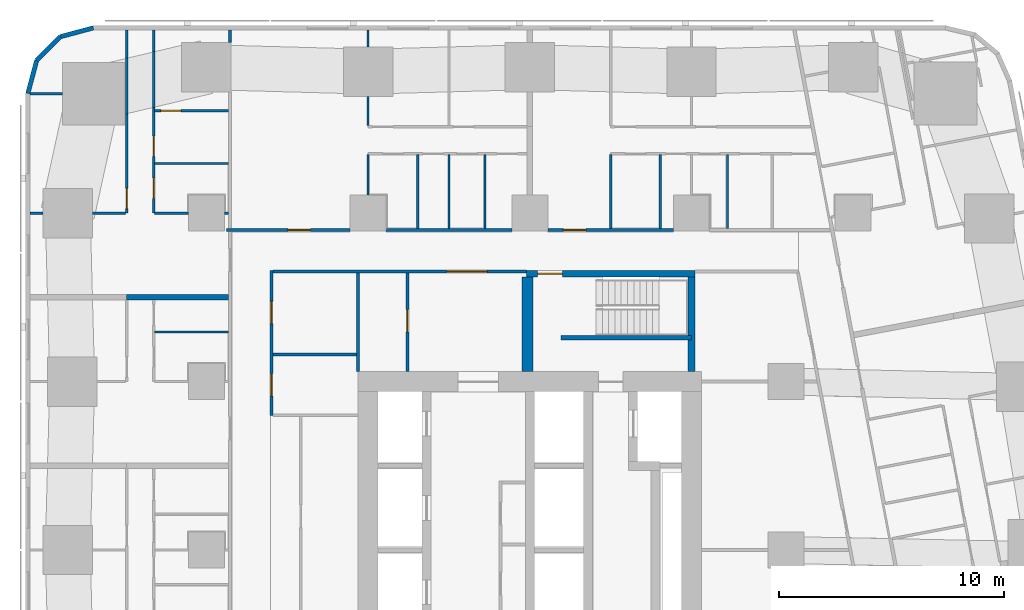
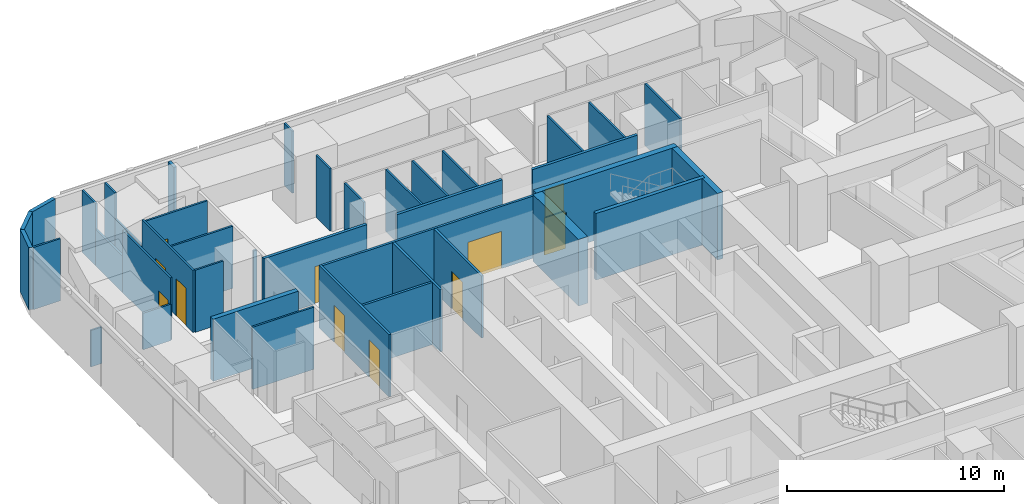
# One storey, part 8 of 15: 40 walls, 11 doors, 11 openings.
"""IFC4 building model written with IfcOpenShell, lengths in metres."""

from ifc_helpers import new_model, si_unit, direction, frame, frame_2d, origin, place, context, subcontext, project, spatial, rectangle, extrude, material, layer, layer_set, type_object, element, fill, save


model = new_model("IFC4")

# Units and contexts
model_context = context("Model", 3, precision=1e-05, world=origin(), true_north=direction((0.0, 1.0)))
body_context = subcontext(model_context, "Body", "Model", "MODEL_VIEW")
ifc_project = project(units=[si_unit("LENGTHUNIT", "METRE"), si_unit("AREAUNIT", "SQUARE_METRE"), si_unit("VOLUMEUNIT", "CUBIC_METRE"), si_unit("PLANEANGLEUNIT", "RADIAN"), si_unit("MASSUNIT", "GRAM", prefix="KILO")], contexts=[model_context])

# Site, building, storey
site_placement = place(None, origin())
site = spatial("IfcSite", under=ifc_project, at=site_placement, CompositionType="ELEMENT")
building_placement = place(site_placement, origin())
building = spatial("IfcBuilding", under=site, at=building_placement, Name="Sheger Commons Tower", CompositionType="ELEMENT")
storey_placement = place(building_placement, frame((0.0, 0.0, 100.39990234375)))
storey = spatial("IfcBuildingStorey", under=building, at=storey_placement, Name="L25", CompositionType="ELEMENT", Elevation=100.39990234375)

# Wall
ifc_material_1 = material(Name="Hollow concrete block masonry, skimmed both sides", Category="masonry")
ifc_layer_1 = layer(ifc_material_1, 0.14990234375)
ifc_layer_set_1 = layer_set([ifc_layer_1], Name="CORRIDOR WALL 150")
wall_type_1 = type_object("IfcWallType", Name="CORRIDOR WALL 150", PredefinedType="SOLIDWALL", material=ifc_layer_set_1)
wall_1_placement = place(storey_placement, frame((8.25, 45.10107421875, 0.0), z_axis=(0.0, 0.0, 1.0), x_axis=(0.0, 1.0, 0.0)))
element("IfcWall", 1, at=wall_1_placement, inside=storey, type_object=wall_type_1, Name="Corridor wall L25", PredefinedType="SOLIDWALL", context=body_context, shape_type="SweptSolid", body=[
    extrude(rectangle(XDim=0.548828125, YDim=0.14990234375, at=frame_2d((0.2744140625, 0.0))), origin(), (0.0, 0.0, 1.0), 3.5),
])

# Wall, opening, door
wall_2_placement = place(storey_placement, frame((8.10009765625, 36.75, 0.0), z_axis=(0.0, 0.0, 1.0), x_axis=(1.0, 0.0, 0.0)))
wall_2 = element("IfcWall", 2, at=wall_2_placement, inside=storey, type_object=wall_type_1, Name="Corridor wall L25", PredefinedType="SOLIDWALL", context=body_context, shape_type="SweptSolid", body=[
    extrude(rectangle(XDim=5.4990234375, YDim=0.14990234375, at=frame_2d((2.74951171875, 0.0))), origin(), (0.0, 0.0, 1.0), 3.5),
])
opening_1_placement = place(wall_2_placement, frame((2.72509765625, 0.0, 0.0)))
opening_1 = element("IfcOpeningElement", 3, at=opening_1_placement, cuts=wall_2, Name="Opening D1", PredefinedType="OPENING", context=body_context, shape_type="SweptSolid", body=[
    extrude(rectangle(XDim=1.0, YDim=2.10009765625, at=frame_2d((0.5, 1.050048828125))), frame((0.0, 0.0849609375, 0.0), z_axis=(0.0, -1.0, 0.0), x_axis=(1.0, 0.0, 0.0)), (0.0, 0.0, 1.0), 0.169921875),
])
ifc_material_2 = material(Name="Steel door set, fire rated", Category="steel")
door_type_1 = type_object("IfcDoorType", Name="FLAT ENTRANCE DOOR 1000x2100", OperationType="NOTDEFINED", PredefinedType="DOOR", material=ifc_material_2)
door_1_placement = place(opening_1_placement, origin())
door_1 = element("IfcDoor", 4, at=door_1_placement, inside=storey, type_object=door_type_1, Name="Flat entrance door", OperationType="SINGLE_SWING_LEFT", OverallHeight=2.10009765625, OverallWidth=1.0, PredefinedType="DOOR", context=body_context, shape_type="SweptSolid", body=[
    extrude(rectangle(XDim=1.0, YDim=2.10009765625, at=frame_2d((0.5, 1.050048828125))), frame((0.0, 0.02490234375, 0.0), z_axis=(0.0, -1.0, 0.0), x_axis=(1.0, 0.0, 0.0)), (0.0, 0.0, 1.0), 0.050048828125),
])
fill(opening_1, door_1)

# Wall
wall_3_placement = place(storey_placement, frame((15.200927734375, 36.75, 0.0), z_axis=(0.0, 0.0, 1.0), x_axis=(1.0, 0.0, 0.0)))
element("IfcWall", 5, at=wall_3_placement, inside=storey, type_object=wall_type_1, Name="Corridor wall L25", PredefinedType="SOLIDWALL", context=body_context, shape_type="SweptSolid", body=[
    extrude(rectangle(XDim=5.59814453125, YDim=0.14990234375, at=frame_2d((2.799072265625, 0.0))), origin(), (0.0, 0.0, 1.0), 3.5),
])

# Wall, opening, door
wall_4_placement = place(storey_placement, frame((22.40087890625, 36.75, 0.0), z_axis=(0.0, 0.0, 1.0), x_axis=(1.0, 0.0, 0.0)))
wall_4 = element("IfcWall", 6, at=wall_4_placement, inside=storey, type_object=wall_type_1, Name="Corridor wall L25", PredefinedType="SOLIDWALL", context=body_context, shape_type="SweptSolid", body=[
    extrude(rectangle(XDim=5.59814453125, YDim=0.14990234375, at=frame_2d((2.799072265625, 0.0))), origin(), (0.0, 0.0, 1.0), 3.5),
])
opening_2_placement = place(wall_4_placement, frame((0.698974609375, 0.0, 0.0)))
opening_2 = element("IfcOpeningElement", 7, at=opening_2_placement, cuts=wall_4, Name="Opening D1", PredefinedType="OPENING", context=body_context, shape_type="SweptSolid", body=[
    extrude(rectangle(XDim=1.0, YDim=2.10009765625, at=frame_2d((0.5, 1.050048828125))), frame((0.0, 0.0849609375, 0.0), z_axis=(0.0, -1.0, 0.0), x_axis=(1.0, 0.0, 0.0)), (0.0, 0.0, 1.0), 0.169921875),
])
door_2_placement = place(opening_2_placement, origin())
door_2 = element("IfcDoor", 8, at=door_2_placement, inside=storey, type_object=door_type_1, Name="Flat entrance door", OperationType="SINGLE_SWING_LEFT", OverallHeight=2.10009765625, OverallWidth=1.0, PredefinedType="DOOR", context=body_context, shape_type="SweptSolid", body=[
    extrude(rectangle(XDim=1.0, YDim=2.10009765625, at=frame_2d((0.5, 1.050048828125))), frame((0.0, 0.02490234375, 0.0), z_axis=(0.0, -1.0, 0.0), x_axis=(1.0, 0.0, 0.0)), (0.0, 0.0, 1.0), 0.050048828125),
])
fill(opening_2, door_2)

# Walls
ifc_material_3 = material(Name="Dense concrete block masonry, plastered both sides (separating wall between flats)", Category="masonry")
ifc_layer_2 = layer(ifc_material_3, 0.25)
ifc_layer_set_2 = layer_set([ifc_layer_2], Name="DEMISING WALL 250")
wall_type_2 = type_object("IfcWallType", Name="DEMISING WALL 250", PredefinedType="SOLIDWALL", material=ifc_layer_set_2)
wall_5_placement = place(storey_placement, frame((3.64990234375, 33.75, 0.0), z_axis=(0.0, 0.0, 1.0), x_axis=(1.0, 0.0, 0.0)))
element("IfcWall", 9, at=wall_5_placement, inside=storey, type_object=wall_type_2, Name="Demising wall L25", PredefinedType="SOLIDWALL", context=body_context, shape_type="SweptSolid", body=[
    extrude(rectangle(XDim=4.525146484375, YDim=0.25, at=frame_2d((2.2626953125, 0.0))), origin(), (0.0, 0.0, 1.0), 3.5),
])
ifc_material_4 = material(Name="Rendered concrete block masonry, dark grey", Category="masonry")
ifc_layer_3 = layer(ifc_material_4, 0.199951171875)
ifc_layer_set_3 = layer_set([ifc_layer_3], Name="FACADE WALL 200")
wall_type_3 = type_object("IfcWallType", Name="FACADE WALL 200", PredefinedType="SOLIDWALL", material=ifc_layer_set_3)
wall_6_placement = place(storey_placement, frame((2.1630859375, 45.75, 0.0), z_axis=(0.0, 0.0, 1.0), x_axis=(-0.965832000415, -0.259168954497, 0.0)))
element("IfcWall", 10, at=wall_6_placement, inside=storey, type_object=wall_type_3, Name="Facade wall L25", PredefinedType="SOLIDWALL", context=body_context, shape_type="SweptSolid", body=[
    extrude(rectangle(XDim=1.512939453125, YDim=0.199951171875, at=frame_2d((0.75634765625, 0.0))), origin(), (0.0, 0.0, 1.0), 3.5),
])
wall_7_placement = place(storey_placement, frame((0.701904296875, 45.35791015625, 0.0), z_axis=(0.0, 0.0, 1.0), x_axis=(-0.707106781187, -0.707106781187, 0.0)))
element("IfcWall", 11, at=wall_7_placement, inside=storey, type_object=wall_type_3, Name="Facade wall L25", PredefinedType="SOLIDWALL", context=body_context, shape_type="SweptSolid", body=[
    extrude(rectangle(XDim=1.498779296875, YDim=0.199951171875, at=frame_2d((0.74951171875, 0.0))), origin(), (0.0, 0.0, 1.0), 3.5),
])
wall_8_placement = place(storey_placement, frame((-0.35791015625, 44.298095703125, 0.0), z_axis=(0.0, 0.0, 1.0), x_axis=(-0.259168954497, -0.965832000415, 0.0)))
element("IfcWall", 12, at=wall_8_placement, inside=storey, type_object=wall_type_3, Name="Facade wall L25", PredefinedType="SOLIDWALL", context=body_context, shape_type="SweptSolid", body=[
    extrude(rectangle(XDim=1.512939453125, YDim=0.199951171875, at=frame_2d((0.75634765625, 0.0))), origin(), (0.0, 0.0, 1.0), 3.5),
])
ifc_material_5 = material(Name="Gypsum board on steel studs", Category="steel")
ifc_layer_4 = layer(ifc_material_5, 0.10009765625)
ifc_layer_set_4 = layer_set([ifc_layer_4], Name="PARTITION 100")
wall_type_4 = type_object("IfcWallType", Name="PARTITION 100", PredefinedType="PARTITIONING", material=ifc_layer_set_4)
wall_9_placement = place(storey_placement, frame((4.89990234375, 32.2099609375, 0.0), z_axis=(0.0, 0.0, 1.0), x_axis=(1.0, 0.0, 0.0)))
element("IfcWall", 13, at=wall_9_placement, inside=storey, type_object=wall_type_4, Name="Partition L25", PredefinedType="PARTITIONING", context=body_context, shape_type="SweptSolid", body=[
    extrude(rectangle(XDim=3.275146484375, YDim=0.10009765625, at=frame_2d((1.6376953125, 0.0))), origin(), (0.0, 0.0, 1.0), 3.5),
])

# Wall, opening, door
wall_10_placement = place(storey_placement, frame((3.64990234375, 37.5, 0.0), z_axis=(0.0, 0.0, 1.0), x_axis=(0.0, 1.0, 0.0)))
wall_10 = element("IfcWall", 14, at=wall_10_placement, inside=storey, type_object=wall_type_4, Name="Partition L25", PredefinedType="PARTITIONING", context=body_context, shape_type="SweptSolid", body=[
    extrude(rectangle(XDim=4.4150390625, YDim=0.10009765625, at=frame_2d((2.20751953125, 0.0))), origin(), (0.0, 0.0, 1.0), 3.5),
])
opening_3_placement = place(wall_10_placement, frame((0.199951171875, 0.0, 0.0)))
opening_3 = element("IfcOpeningElement", 15, at=opening_3_placement, cuts=wall_10, Name="Opening D2", PredefinedType="OPENING", context=body_context, shape_type="SweptSolid", body=[
    extrude(rectangle(XDim=0.89990234375, YDim=2.10009765625, at=frame_2d((0.449951171875, 1.050048828125))), frame((0.0, 0.06005859375, 0.0), z_axis=(0.0, -1.0, 0.0), x_axis=(1.0, 0.0, 0.0)), (0.0, 0.0, 1.0), 0.1201171875),
])
ifc_material_6 = material(Name="Timber door set", Category="wood")
door_type_2 = type_object("IfcDoorType", Name="INTERNAL DOOR 900x2100", OperationType="NOTDEFINED", PredefinedType="DOOR", material=ifc_material_6)
door_3_placement = place(opening_3_placement, origin())
door_3 = element("IfcDoor", 16, at=door_3_placement, inside=storey, type_object=door_type_2, Name="Main bedroom door", OperationType="SINGLE_SWING_LEFT", OverallHeight=2.10009765625, OverallWidth=0.89990234375, PredefinedType="DOOR", context=body_context, shape_type="SweptSolid", body=[
    extrude(rectangle(XDim=0.89990234375, YDim=2.10009765625, at=frame_2d((0.449951171875, 1.050048828125))), frame((0.0, 0.02490234375, 0.0), z_axis=(0.0, -1.0, 0.0), x_axis=(1.0, 0.0, 0.0)), (0.0, 0.0, 1.0), 0.050048828125),
])
fill(opening_3, door_3)

# Walls
wall_11_placement = place(storey_placement, frame((3.64990234375, 41.9150390625, 0.0), z_axis=(0.0, 0.0, 1.0), x_axis=(0.0, 1.0, 0.0)))
element("IfcWall", 17, at=wall_11_placement, inside=storey, type_object=wall_type_4, Name="Partition L25", PredefinedType="PARTITIONING", context=body_context, shape_type="SweptSolid", body=[
    extrude(rectangle(XDim=2.489990234375, YDim=0.10009765625, at=frame_2d((1.2451171875, 0.0))), origin(), (0.0, 0.0, 1.0), 2.050048828125),
])
wall_12_placement = place(storey_placement, frame((3.64990234375, 44.405029296875, 0.0), z_axis=(0.0, 0.0, 1.0), x_axis=(0.0, 1.0, 0.0)))
element("IfcWall", 18, at=wall_12_placement, inside=storey, type_object=wall_type_4, Name="Partition L25", PredefinedType="PARTITIONING", context=body_context, shape_type="SweptSolid", body=[
    extrude(rectangle(XDim=1.244873046875, YDim=0.10009765625, at=frame_2d((0.62255859375, 0.0))), origin(), (0.0, 0.0, 1.0), 3.5),
])

# Wall, openings, doors
wall_13_placement = place(storey_placement, frame((4.85009765625, 37.5, 0.0), z_axis=(0.0, 0.0, 1.0), x_axis=(0.0, 1.0, 0.0)))
wall_13 = element("IfcWall", 19, at=wall_13_placement, inside=storey, type_object=wall_type_4, Name="Partition L25", PredefinedType="PARTITIONING", context=body_context, shape_type="SweptSolid", body=[
    extrude(rectangle(XDim=4.698974609375, YDim=0.10009765625, at=frame_2d((2.349609375, 0.0))), origin(), (0.0, 0.0, 1.0), 3.5),
])
opening_4_placement = place(wall_13_placement, frame((0.655029296875, 0.0, 0.0)))
opening_4 = element("IfcOpeningElement", 20, at=opening_4_placement, cuts=wall_13, Name="Opening D2", PredefinedType="OPENING", context=body_context, shape_type="SweptSolid", body=[
    extrude(rectangle(XDim=0.89990234375, YDim=2.10009765625, at=frame_2d((0.449951171875, 1.050048828125))), frame((0.0, 0.06005859375, 0.0), z_axis=(0.0, -1.0, 0.0), x_axis=(1.0, 0.0, 0.0)), (0.0, 0.0, 1.0), 0.1201171875),
])
opening_5_placement = place(wall_13_placement, frame((2.530029296875, 0.0, 0.0)))
opening_5 = element("IfcOpeningElement", 21, at=opening_5_placement, cuts=wall_13, Name="Opening D2", PredefinedType="OPENING", context=body_context, shape_type="SweptSolid", body=[
    extrude(rectangle(XDim=0.89990234375, YDim=2.10009765625, at=frame_2d((0.449951171875, 1.050048828125))), frame((0.0, 0.06005859375, 0.0), z_axis=(0.0, -1.0, 0.0), x_axis=(1.0, 0.0, 0.0)), (0.0, 0.0, 1.0), 0.1201171875),
])
door_4_placement = place(opening_4_placement, origin())
door_4 = element("IfcDoor", 22, at=door_4_placement, inside=storey, type_object=door_type_2, Name="Bathroom door", OperationType="SINGLE_SWING_RIGHT", OverallHeight=2.10009765625, OverallWidth=0.89990234375, PredefinedType="DOOR", context=body_context, shape_type="SweptSolid", body=[
    extrude(rectangle(XDim=0.89990234375, YDim=2.10009765625, at=frame_2d((0.449951171875, 1.050048828125))), frame((0.0, 0.02490234375, 0.0), z_axis=(0.0, -1.0, 0.0), x_axis=(1.0, 0.0, 0.0)), (0.0, 0.0, 1.0), 0.050048828125),
])
fill(opening_4, door_4)
door_5_placement = place(opening_5_placement, origin())
door_5 = element("IfcDoor", 23, at=door_5_placement, inside=storey, type_object=door_type_2, Name="Store door", OperationType="SINGLE_SWING_RIGHT", OverallHeight=2.10009765625, OverallWidth=0.89990234375, PredefinedType="DOOR", context=body_context, shape_type="SweptSolid", body=[
    extrude(rectangle(XDim=0.89990234375, YDim=2.10009765625, at=frame_2d((0.449951171875, 1.050048828125))), frame((0.0, 0.02490234375, 0.0), z_axis=(0.0, -1.0, 0.0), x_axis=(1.0, 0.0, 0.0)), (0.0, 0.0, 1.0), 0.050048828125),
])
fill(opening_5, door_5)

# Walls
wall_14_placement = place(storey_placement, frame((4.85009765625, 42.198974609375, 0.0), z_axis=(0.0, 0.0, 1.0), x_axis=(0.0, 1.0, 0.0)))
element("IfcWall", 24, at=wall_14_placement, inside=storey, type_object=wall_type_4, Name="Partition L25", PredefinedType="PARTITIONING", context=body_context, shape_type="SweptSolid", body=[
    extrude(rectangle(XDim=2.489990234375, YDim=0.10009765625, at=frame_2d((1.2451171875, 0.0))), origin(), (0.0, 0.0, 1.0), 2.050048828125),
])
wall_15_placement = place(storey_placement, frame((4.85009765625, 44.68896484375, 0.0), z_axis=(0.0, 0.0, 1.0), x_axis=(0.0, 1.0, 0.0)))
element("IfcWall", 25, at=wall_15_placement, inside=storey, type_object=wall_type_4, Name="Partition L25", PredefinedType="PARTITIONING", context=body_context, shape_type="SweptSolid", body=[
    extrude(rectangle(XDim=0.9609375, YDim=0.10009765625, at=frame_2d((0.48046875, 0.0))), origin(), (0.0, 0.0, 1.0), 3.5),
])
wall_16_placement = place(storey_placement, frame((-0.64990234375, 37.5, 0.0), z_axis=(0.0, 0.0, 1.0), x_axis=(1.0, 0.0, 0.0)))
element("IfcWall", 26, at=wall_16_placement, inside=storey, type_object=wall_type_4, Name="Partition L25", PredefinedType="PARTITIONING", context=body_context, shape_type="SweptSolid", body=[
    extrude(rectangle(XDim=0.573974609375, YDim=0.10009765625, at=frame_2d((0.287109375, 0.0))), origin(), (0.0, 0.0, 1.0), 2.050048828125),
])
wall_17_placement = place(storey_placement, frame((2.1259765625, 37.5, 0.0), z_axis=(0.0, 0.0, 1.0), x_axis=(1.0, 0.0, 0.0)))
element("IfcWall", 27, at=wall_17_placement, inside=storey, type_object=wall_type_4, Name="Partition L25", PredefinedType="PARTITIONING", context=body_context, shape_type="SweptSolid", body=[
    extrude(rectangle(XDim=1.47412109375, YDim=0.10009765625, at=frame_2d((0.737060546875, 0.0))), origin(), (0.0, 0.0, 1.0), 2.050048828125),
])
wall_18_placement = place(storey_placement, frame((-0.64990234375, 42.81396484375, 0.0), z_axis=(0.0, 0.0, 1.0), x_axis=(1.0, 0.0, 0.0)))
element("IfcWall", 28, at=wall_18_placement, inside=storey, type_object=wall_type_4, Name="Partition L25", PredefinedType="PARTITIONING", context=body_context, shape_type="SweptSolid", body=[
    extrude(rectangle(XDim=1.434814453125, YDim=0.10009765625, at=frame_2d((0.71728515625, 0.0))), origin(), (0.0, 0.0, 1.0), 3.5),
])
wall_19_placement = place(storey_placement, frame((4.89990234375, 37.5, 0.0), z_axis=(0.0, 0.0, 1.0), x_axis=(1.0, 0.0, 0.0)))
element("IfcWall", 29, at=wall_19_placement, inside=storey, type_object=wall_type_4, Name="Partition L25", PredefinedType="PARTITIONING", context=body_context, shape_type="SweptSolid", body=[
    extrude(rectangle(XDim=1.4990234375, YDim=0.10009765625, at=frame_2d((0.74951171875, 0.0))), origin(), (0.0, 0.0, 1.0), 3.5),
])
wall_20_placement = place(storey_placement, frame((8.0009765625, 37.5, 0.0), z_axis=(0.0, 0.0, 1.0), x_axis=(1.0, 0.0, 0.0)))
element("IfcWall", 30, at=wall_20_placement, inside=storey, type_object=wall_type_4, Name="Partition L25", PredefinedType="PARTITIONING", context=body_context, shape_type="SweptSolid", body=[
    extrude(rectangle(XDim=0.174072265625, YDim=0.10009765625, at=frame_2d((0.0869140625, 0.0))), origin(), (0.0, 0.0, 1.0), 3.5),
])
wall_21_placement = place(storey_placement, frame((4.89990234375, 39.7099609375, 0.0), z_axis=(0.0, 0.0, 1.0), x_axis=(1.0, 0.0, 0.0)))
element("IfcWall", 31, at=wall_21_placement, inside=storey, type_object=wall_type_4, Name="Partition L25", PredefinedType="PARTITIONING", context=body_context, shape_type="SweptSolid", body=[
    extrude(rectangle(XDim=3.275146484375, YDim=0.10009765625, at=frame_2d((1.6376953125, 0.0))), origin(), (0.0, 0.0, 1.0), 3.5),
])
wall_22_placement = place(storey_placement, frame((14.39990234375, 41.39990234375, 0.0), z_axis=(0.0, 0.0, 1.0), x_axis=(0.0, 1.0, 0.0)))
element("IfcWall", 32, at=wall_22_placement, inside=storey, type_object=wall_type_4, Name="Partition L25", PredefinedType="PARTITIONING", context=body_context, shape_type="SweptSolid", body=[
    extrude(rectangle(XDim=1.299072265625, YDim=0.10009765625, at=frame_2d((0.6494140625, 0.0))), origin(), (0.0, 0.0, 1.0), 3.5),
])
wall_23_placement = place(storey_placement, frame((14.39990234375, 44.90087890625, 0.0), z_axis=(0.0, 0.0, 1.0), x_axis=(0.0, 1.0, 0.0)))
element("IfcWall", 33, at=wall_23_placement, inside=storey, type_object=wall_type_4, Name="Partition L25", PredefinedType="PARTITIONING", context=body_context, shape_type="SweptSolid", body=[
    extrude(rectangle(XDim=0.7490234375, YDim=0.10009765625, at=frame_2d((0.37451171875, 0.0))), origin(), (0.0, 0.0, 1.0), 3.5),
])
wall_24_placement = place(storey_placement, frame((14.39990234375, 38.301025390625, 0.0), z_axis=(0.0, 0.0, 1.0), x_axis=(0.0, 1.0, 0.0)))
element("IfcWall", 34, at=wall_24_placement, inside=storey, type_object=wall_type_4, Name="Partition L25", PredefinedType="PARTITIONING", context=body_context, shape_type="SweptSolid", body=[
    extrude(rectangle(XDim=1.799072265625, YDim=0.10009765625, at=frame_2d((0.8994140625, 0.0))), origin(), (0.0, 0.0, 1.0), 3.5),
])
for number, where, z_axis, x_axis, name in (
    (35, (18.0, 36.824951171875, 0.0), (0.0, 0.0, 1.0), (0.0, 1.0, 0.0), "Partition L25"),
    (36, (16.610107421875, 36.824951171875, 0.0), (0.0, 0.0, 1.0), (0.0, 1.0, 0.0), "Partition L25"),
    (37, (19.60009765625, 36.824951171875, 0.0), (0.0, 0.0, 1.0), (0.0, 1.0, 0.0), "Partition L25"),
    (38, (25.199951171875, 36.824951171875, 0.0), (0.0, 0.0, 1.0), (0.0, 1.0, 0.0), "Partition L25"),
    (39, (27.409912109375, 36.824951171875, 0.0), (0.0, 0.0, 1.0), (0.0, 1.0, 0.0), "Partition L25"),
    (40, (30.39990234375, 36.824951171875, 0.0), (0.0, 0.0, 1.0), (0.0, 1.0, 0.0), "Partition L25"),
):
    element("IfcWall", number, at=place(storey_placement, frame(where, z_axis=z_axis, x_axis=x_axis)), inside=storey, type_object=wall_type_4, Name=name, PredefinedType="PARTITIONING", context=body_context, shape_type="SweptSolid", body=[
        extrude(rectangle(XDim=3.275146484375, YDim=0.10009765625, at=frame_2d((1.6376953125, 0.0))), origin(), (0.0, 0.0, 1.0), 3.5),
    ])

# Wall, opening, door
wall_25_placement = place(storey_placement, frame((8.175048828125, 42.06005859375, 0.0), z_axis=(0.0, 0.0, 1.0), x_axis=(-1.0, 0.0, 0.0)))
wall_25 = element("IfcWall", 41, at=wall_25_placement, inside=storey, type_object=wall_type_4, Name="Partition L25", PredefinedType="PARTITIONING", context=body_context, shape_type="SweptSolid", body=[
    extrude(rectangle(XDim=3.275146484375, YDim=0.10009765625, at=frame_2d((1.6376953125, 0.0))), origin(), (0.0, 0.0, 1.0), 3.5),
])
opening_6_placement = place(wall_25_placement, frame((2.10009765625, 0.0, 0.0)))
opening_6 = element("IfcOpeningElement", 42, at=opening_6_placement, cuts=wall_25, Name="Opening D2", PredefinedType="OPENING", context=body_context, shape_type="SweptSolid", body=[
    extrude(rectangle(XDim=0.89990234375, YDim=2.10009765625, at=frame_2d((0.449951171875, 1.050048828125))), frame((0.0, 0.06005859375, 0.0), z_axis=(0.0, -1.0, 0.0), x_axis=(1.0, 0.0, 0.0)), (0.0, 0.0, 1.0), 0.1201171875),
])
door_6_placement = place(opening_6_placement, origin())
door_6 = element("IfcDoor", 43, at=door_6_placement, inside=storey, type_object=door_type_2, Name="Store door", OperationType="SINGLE_SWING_LEFT", OverallHeight=2.10009765625, OverallWidth=0.89990234375, PredefinedType="DOOR", context=body_context, shape_type="SweptSolid", body=[
    extrude(rectangle(XDim=0.89990234375, YDim=2.10009765625, at=frame_2d((0.449951171875, 1.050048828125))), frame((0.0, 0.02490234375, 0.0), z_axis=(0.0, -1.0, 0.0), x_axis=(1.0, 0.0, 0.0)), (0.0, 0.0, 1.0), 0.050048828125),
])
fill(opening_6, door_6)

# Wall, openings, doors
ifc_material_7 = material(Name="Gypsum board on steel studs, two layers each side, fire rated", Category="steel")
ifc_layer_5 = layer(ifc_material_7, 0.125)
ifc_layer_set_5 = layer_set([ifc_layer_5], Name="SERVICE WALL 125")
wall_type_5 = type_object("IfcWallType", Name="SERVICE WALL 125", PredefinedType="PARTITIONING", material=ifc_layer_set_5)
wall_26_placement = place(storey_placement, frame((10.10009765625, 28.5, 0.0), z_axis=(0.0, 0.0, 1.0), x_axis=(0.0, 1.0, 0.0)))
wall_26 = element("IfcWall", 44, at=wall_26_placement, inside=storey, type_object=wall_type_5, Name="Service room wall L25", PredefinedType="PARTITIONING", context=body_context, shape_type="SweptSolid", body=[
    extrude(rectangle(XDim=6.449951171875, YDim=0.125, at=frame_2d((3.22509765625, 0.0))), origin(), (0.0, 0.0, 1.0), 3.5),
])
opening_7_placement = place(wall_26_placement, frame((0.85009765625, 0.0, 0.0)))
opening_7 = element("IfcOpeningElement", 45, at=opening_7_placement, cuts=wall_26, Name="Opening D4", PredefinedType="OPENING", context=body_context, shape_type="SweptSolid", body=[
    extrude(rectangle(XDim=1.0, YDim=2.10009765625, at=frame_2d((0.5, 1.050048828125))), frame((0.0, 0.072509765625, 0.0), z_axis=(0.0, -1.0, 0.0), x_axis=(1.0, 0.0, 0.0)), (0.0, 0.0, 1.0), 0.14501953125),
])
opening_8_placement = place(wall_26_placement, frame((4.074951171875, 0.0, 0.0)))
opening_8 = element("IfcOpeningElement", 46, at=opening_8_placement, cuts=wall_26, Name="Opening D4", PredefinedType="OPENING", context=body_context, shape_type="SweptSolid", body=[
    extrude(rectangle(XDim=1.0, YDim=2.10009765625, at=frame_2d((0.5, 1.050048828125))), frame((0.0, 0.072509765625, 0.0), z_axis=(0.0, -1.0, 0.0), x_axis=(1.0, 0.0, 0.0)), (0.0, 0.0, 1.0), 0.14501953125),
])
ifc_material_8 = material(Name="Steel door set, fire rated", Category="steel")
door_type_3 = type_object("IfcDoorType", Name="SERVICE DOOR 1000x2100", OperationType="NOTDEFINED", PredefinedType="DOOR", material=ifc_material_8)
door_7_placement = place(opening_7_placement, origin())
door_7 = element("IfcDoor", 47, at=door_7_placement, inside=storey, type_object=door_type_3, Name="Cleaner's store door", OperationType="SINGLE_SWING_RIGHT", OverallHeight=2.10009765625, OverallWidth=1.0, PredefinedType="DOOR", context=body_context, shape_type="SweptSolid", body=[
    extrude(rectangle(XDim=1.0, YDim=2.10009765625, at=frame_2d((0.5, 1.050048828125))), frame((0.0, 0.02490234375, 0.0), z_axis=(0.0, -1.0, 0.0), x_axis=(1.0, 0.0, 0.0)), (0.0, 0.0, 1.0), 0.050048828125),
])
fill(opening_7, door_7)
door_8_placement = place(opening_8_placement, origin())
door_8 = element("IfcDoor", 48, at=door_8_placement, inside=storey, type_object=door_type_3, Name="Linen store door", OperationType="SINGLE_SWING_LEFT", OverallHeight=2.10009765625, OverallWidth=1.0, PredefinedType="DOOR", context=body_context, shape_type="SweptSolid", body=[
    extrude(rectangle(XDim=1.0, YDim=2.10009765625, at=frame_2d((0.5, 1.050048828125))), frame((0.0, 0.02490234375, 0.0), z_axis=(0.0, -1.0, 0.0), x_axis=(1.0, 0.0, 0.0)), (0.0, 0.0, 1.0), 0.050048828125),
])
fill(opening_8, door_8)

# Walls
wall_27_placement = place(storey_placement, frame((10.1630859375, 31.199951171875, 0.0), z_axis=(0.0, 0.0, 1.0), x_axis=(1.0, 0.0, 0.0)))
element("IfcWall", 49, at=wall_27_placement, inside=storey, type_object=wall_type_5, Name="Service room wall L25", PredefinedType="PARTITIONING", context=body_context, shape_type="SweptSolid", body=[
    extrude(rectangle(XDim=3.724853515625, YDim=0.125, at=frame_2d((1.8623046875, 0.0))), origin(), (0.0, 0.0, 1.0), 3.5),
])
wall_28_placement = place(storey_placement, frame((13.949951171875, 30.449951171875, 0.0), z_axis=(0.0, 0.0, 1.0), x_axis=(0.0, 1.0, 0.0)))
element("IfcWall", 50, at=wall_28_placement, inside=storey, type_object=wall_type_5, Name="Service room wall L25", PredefinedType="PARTITIONING", context=body_context, shape_type="SweptSolid", body=[
    extrude(rectangle(XDim=4.386962890625, YDim=0.125, at=frame_2d((2.193359375, 0.0))), origin(), (0.0, 0.0, 1.0), 3.5),
])

# Wall, opening, door
wall_29_placement = place(storey_placement, frame((10.1630859375, 34.89990234375, 0.0), z_axis=(0.0, 0.0, 1.0), x_axis=(1.0, 0.0, 0.0)))
wall_29 = element("IfcWall", 51, at=wall_29_placement, inside=storey, type_object=wall_type_5, Name="Service room wall L25", PredefinedType="PARTITIONING", context=body_context, shape_type="SweptSolid", body=[
    extrude(rectangle(XDim=11.286865234375, YDim=0.125, at=frame_2d((5.6435546875, 0.0))), origin(), (0.0, 0.0, 1.0), 3.5),
])
opening_9_placement = place(wall_29_placement, frame((7.737060546875, 0.0, 0.0)))
opening_9 = element("IfcOpeningElement", 52, at=opening_9_placement, cuts=wall_29, Name="Opening D6", PredefinedType="OPENING", context=body_context, shape_type="SweptSolid", body=[
    extrude(rectangle(XDim=1.800048828125, YDim=2.10009765625, at=frame_2d((0.89990234375, 1.050048828125))), frame((0.0, 0.072509765625, 0.0), z_axis=(0.0, -1.0, 0.0), x_axis=(1.0, 0.0, 0.0)), (0.0, 0.0, 1.0), 0.14501953125),
])
ifc_material_9 = material(Name="Steel door set, fire rated", Category="steel")
door_type_4 = type_object("IfcDoorType", Name="LOBBY DOUBLE DOOR 1800x2100", OperationType="DOUBLE_DOOR_SINGLE_SWING", PredefinedType="DOOR", material=ifc_material_9)
door_9_placement = place(opening_9_placement, origin())
door_9 = element("IfcDoor", 53, at=door_9_placement, inside=storey, type_object=door_type_4, Name="Lift lobby north door", OperationType="DOUBLE_DOOR_SINGLE_SWING", OverallHeight=2.10009765625, OverallWidth=1.800048828125, PredefinedType="DOOR", context=body_context, shape_type="SweptSolid", body=[
    extrude(rectangle(XDim=1.800048828125, YDim=2.10009765625, at=frame_2d((0.89990234375, 1.050048828125))), frame((0.0, 0.02490234375, 0.0), z_axis=(0.0, -1.0, 0.0), x_axis=(1.0, 0.0, 0.0)), (0.0, 0.0, 1.0), 0.050048828125),
])
fill(opening_9, door_9)

wall_30_placement = place(storey_placement, frame((16.14990234375, 30.449951171875, 0.0), z_axis=(0.0, 0.0, 1.0), x_axis=(0.0, 1.0, 0.0)))
wall_30 = element("IfcWall", 54, at=wall_30_placement, inside=storey, type_object=wall_type_5, Name="Service room wall L25", PredefinedType="PARTITIONING", context=body_context, shape_type="SweptSolid", body=[
    extrude(rectangle(XDim=4.386962890625, YDim=0.125, at=frame_2d((2.193359375, 0.0))), origin(), (0.0, 0.0, 1.0), 3.5),
])
opening_10_placement = place(wall_30_placement, frame((1.75, 0.0, 0.0)))
opening_10 = element("IfcOpeningElement", 55, at=opening_10_placement, cuts=wall_30, Name="Opening D4", PredefinedType="OPENING", context=body_context, shape_type="SweptSolid", body=[
    extrude(rectangle(XDim=1.0, YDim=2.10009765625, at=frame_2d((0.5, 1.050048828125))), frame((0.0, 0.072509765625, 0.0), z_axis=(0.0, -1.0, 0.0), x_axis=(1.0, 0.0, 0.0)), (0.0, 0.0, 1.0), 0.14501953125),
])
door_10_placement = place(opening_10_placement, origin())
door_10 = element("IfcDoor", 56, at=door_10_placement, inside=storey, type_object=door_type_3, Name="Telecom room door", OperationType="SINGLE_SWING_RIGHT", OverallHeight=2.10009765625, OverallWidth=1.0, PredefinedType="DOOR", context=body_context, shape_type="SweptSolid", body=[
    extrude(rectangle(XDim=1.0, YDim=2.10009765625, at=frame_2d((0.5, 1.050048828125))), frame((0.0, 0.02490234375, 0.0), z_axis=(0.0, -1.0, 0.0), x_axis=(1.0, 0.0, 0.0)), (0.0, 0.0, 1.0), 0.050048828125),
])
fill(opening_10, door_10)

ifc_material_10 = material(Name="Concrete C50/60", Category="concrete")
ifc_layer_6 = layer(ifc_material_10, 0.300048828125)
ifc_layer_set_6 = layer_set([ifc_layer_6], Name="STAIR CORE WALL 300")
wall_type_6 = type_object("IfcWallType", Name="STAIR CORE WALL 300", PredefinedType="SHEAR", material=ifc_layer_set_6)
wall_31_placement = place(storey_placement, frame((21.449951171875, 34.800048828125, 0.0), z_axis=(0.0, 0.0, 1.0), x_axis=(1.0, 0.0, 0.0)))
wall_31 = element("IfcWall", 57, at=wall_31_placement, inside=storey, type_object=wall_type_6, Name="STW-L25-S2N", PredefinedType="SHEAR", context=body_context, shape_type="SweptSolid", body=[
    extrude(rectangle(XDim=7.5, YDim=0.300048828125, at=frame_2d((3.75, 0.0))), origin(), (0.0, 0.0, 1.0), 3.75),
])
opening_11_placement = place(wall_31_placement, frame((0.5, 0.0, 0.0)))
opening_11 = element("IfcOpeningElement", 58, at=opening_11_placement, cuts=wall_31, Name="Opening D5", PredefinedType="OPENING", context=body_context, shape_type="SweptSolid", body=[
    extrude(rectangle(XDim=1.10009765625, YDim=2.10009765625, at=frame_2d((0.550048828125, 1.050048828125))), frame((0.0, 0.159912109375, 0.0), z_axis=(0.0, -1.0, 0.0), x_axis=(1.0, 0.0, 0.0)), (0.0, 0.0, 1.0), 0.320068359375),
])
ifc_material_11 = material(Name="Steel door set, fire rated", Category="steel")
door_type_5 = type_object("IfcDoorType", Name="STAIR DOOR 1100x2100", OperationType="NOTDEFINED", PredefinedType="DOOR", material=ifc_material_11)
door_11_placement = place(opening_11_placement, origin())
door_11 = element("IfcDoor", 59, at=door_11_placement, inside=storey, type_object=door_type_5, Name="Stair S2 door", OperationType="SINGLE_SWING_RIGHT", OverallHeight=2.10009765625, OverallWidth=1.10009765625, PredefinedType="DOOR", context=body_context, shape_type="SweptSolid", body=[
    extrude(rectangle(XDim=1.10009765625, YDim=2.10009765625, at=frame_2d((0.550048828125, 1.050048828125))), frame((0.0, 0.02490234375, 0.0), z_axis=(0.0, -1.0, 0.0), x_axis=(1.0, 0.0, 0.0)), (0.0, 0.0, 1.0), 0.050048828125),
])
fill(opening_11, door_11)

# Walls
wall_32_placement = place(storey_placement, frame((28.800048828125, 30.449951171875, 0.0), z_axis=(0.0, 0.0, 1.0), x_axis=(0.0, 1.0, 0.0)))
element("IfcWall", 60, at=wall_32_placement, inside=storey, type_object=wall_type_6, Name="STW-L25-S2E", PredefinedType="SHEAR", context=body_context, shape_type="SweptSolid", body=[
    extrude(rectangle(XDim=4.199951171875, YDim=0.300048828125, at=frame_2d((2.10009765625, 0.0))), origin(), (0.0, 0.0, 1.0), 3.75),
])
ifc_material_12 = material(Name="Concrete C50/60", Category="concrete")
ifc_layer_7 = layer(ifc_material_12, 0.5)
ifc_layer_set_7 = layer_set([ifc_layer_7], Name="STAIR CORE WALL 500")
wall_type_7 = type_object("IfcWallType", Name="STAIR CORE WALL 500", PredefinedType="SHEAR", material=ifc_layer_set_7)
wall_33_placement = place(storey_placement, frame((21.5, 30.449951171875, 0.0), z_axis=(0.0, 0.0, 1.0), x_axis=(0.0, 1.0, 0.0)))
element("IfcWall", 61, at=wall_33_placement, inside=storey, type_object=wall_type_7, Name="STW-L25-S2W", PredefinedType="SHEAR", context=body_context, shape_type="SweptSolid", body=[
    extrude(rectangle(XDim=4.199951171875, YDim=0.5, at=frame_2d((2.10009765625, 0.0))), origin(), (0.0, 0.0, 1.0), 3.75),
])
ifc_material_13 = material(Name="Concrete C50/60", Category="concrete")
ifc_layer_8 = layer(ifc_material_13, 0.199951171875)
ifc_layer_set_8 = layer_set([ifc_layer_8], Name="STAIR SPINE WALL 200")
wall_type_8 = type_object("IfcWallType", Name="STAIR SPINE WALL 200", PredefinedType="SHEAR", material=ifc_layer_set_8)
wall_34_placement = place(storey_placement, frame((23.0, 31.949951171875, 0.0), z_axis=(0.0, 0.0, 1.0), x_axis=(1.0, 0.0, 0.0)))
element("IfcWall", 62, at=wall_34_placement, inside=storey, type_object=wall_type_8, Name="Stair spine wall L25", PredefinedType="SHEAR", context=body_context, shape_type="SweptSolid", body=[
    extrude(rectangle(XDim=5.800048828125, YDim=0.199951171875, at=frame_2d((2.89990234375, 0.0))), origin(), (0.0, 0.0, 1.0), 3.75),
])

save(model, "model.ifc")
